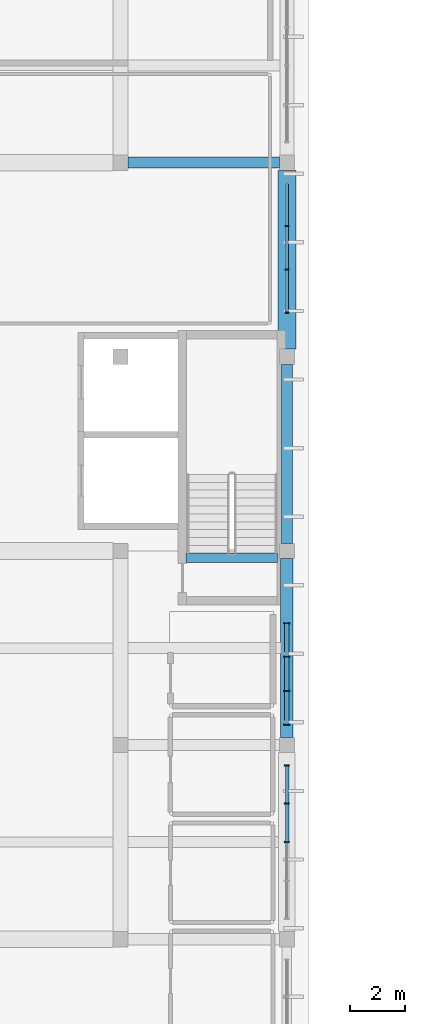
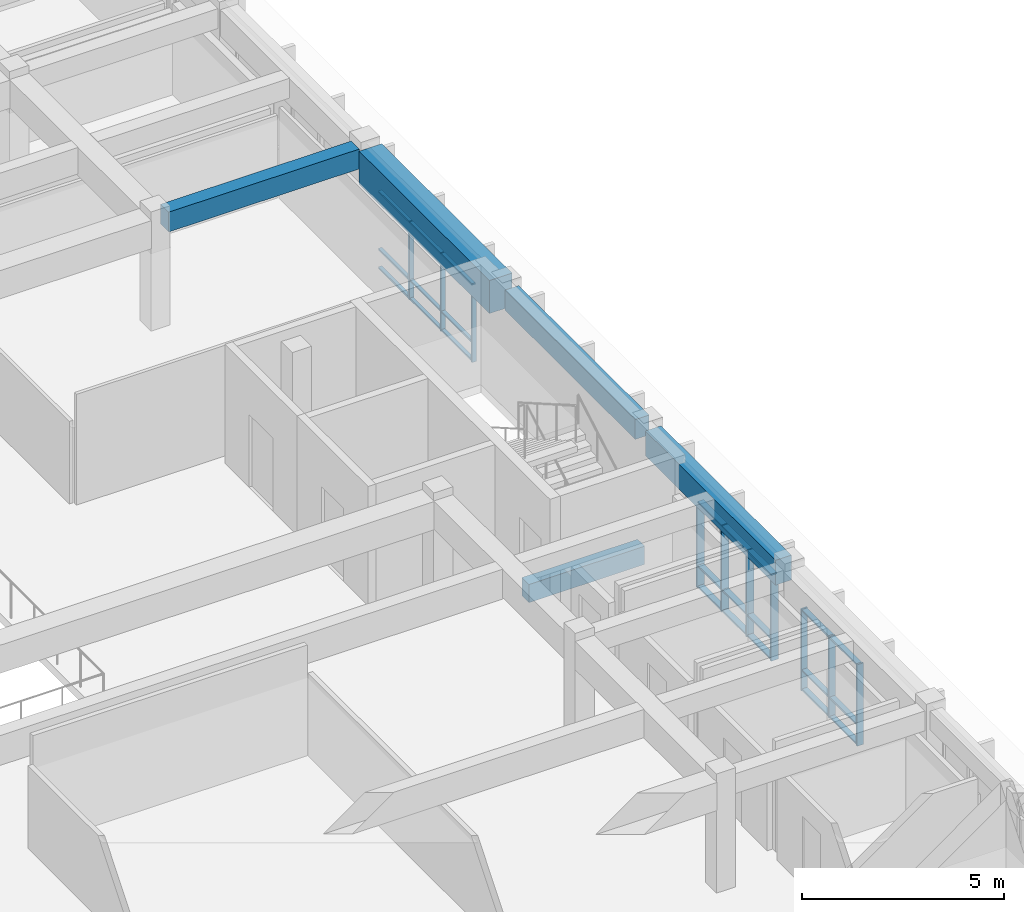
# One storey, part 10 of 23: 34 members, 5 beams, 3 elements without a shape of their own.
"""IFC4 building model written with IfcOpenShell, lengths in metres."""

from ifc_helpers import new_model, si_unit, direction, frame, origin, origin_2d, place, context, subcontext, project, spatial, rectangle, extrude, material, material_profile, profile_set, type_object, element, aggregate, save


model = new_model("IFC4")

# Units and contexts
model_context = context("Model", 3, precision=1e-05, world=origin(), true_north=direction((0.0, 1.0)))
body_context = subcontext(model_context, "Body", "Model", "MODEL_VIEW")
ifc_project = project(units=[si_unit("LENGTHUNIT", "METRE"), si_unit("AREAUNIT", "SQUARE_METRE"), si_unit("VOLUMEUNIT", "CUBIC_METRE"), si_unit("PLANEANGLEUNIT", "RADIAN"), si_unit("MASSUNIT", "GRAM", prefix="KILO")], contexts=[model_context])

# Site, building, storey
site_placement = place(None, origin())
site = spatial("IfcSite", under=ifc_project, at=site_placement, CompositionType="ELEMENT")
building_placement = place(site_placement, origin())
building = spatial("IfcBuilding", under=site, at=building_placement, Name="Larkveld Mobility Hub", CompositionType="ELEMENT")
storey_placement = place(building_placement, frame((0.0, 0.0, 19.199951171875)))
storey = spatial("IfcBuildingStorey", under=building, at=storey_placement, Name="L05", CompositionType="ELEMENT", Elevation=19.199951171875)

# Beams
ifc_material_1 = material(Name="Concrete C40/50", Category="concrete")
ifc_material_profile_1 = material_profile(ifc_material_1, rectangle(XDim=0.35009765625, YDim=0.550048828125, at=origin_2d()), Name="RC BM 350x550")
ifc_profile_set_1 = profile_set([ifc_material_profile_1], Name="Concrete C40/50")
beam_type_1 = type_object("IfcBeamType", Name="BM-RC3555", PredefinedType="BEAM", material=ifc_profile_set_1)
beam_1_placement = place(storey_placement, frame((148.360107421875, 55.75, -0.27001953125), z_axis=(1.0, 0.0, 0.0), x_axis=(0.0, 1.0, 0.0)))
element("IfcBeam", 1, at=beam_1_placement, inside=storey, type_object=beam_type_1, Name="Core C2 Stair Header Beam L05", PredefinedType="BEAM", context=body_context, shape_type="SweptSolid", body=[
    extrude(rectangle(XDim=0.35009765625, YDim=0.550048828125, at=origin_2d()), origin(), (0.0, 0.0, 1.0), 3.309814453125),
])
ifc_material_profile_2 = material_profile(ifc_material_1, rectangle(XDim=0.39990234375, YDim=0.60009765625, at=origin_2d()), Name="RC BM 400x600")
ifc_profile_set_2 = profile_set([ifc_material_profile_2], Name="Concrete C40/50")
beam_type_2 = type_object("IfcBeamType", Name="BM-RC4060", PredefinedType="BEAM", material=ifc_profile_set_2)
beam_2_placement = place(storey_placement, frame((146.27490234375, 70.0, 3.06005859375), z_axis=(1.0, 0.0, 0.0), x_axis=(0.0, 1.0, 0.0)))
element("IfcBeam", 2, at=beam_2_placement, inside=storey, type_object=beam_type_2, Name="Primary E-W Girder L05-0955", PredefinedType="BEAM", context=body_context, shape_type="SweptSolid", body=[
    extrude(rectangle(XDim=0.39990234375, YDim=0.60009765625, at=origin_2d()), origin(), (0.0, 0.0, 1.0), 5.4501953125),
])
beam_3_placement = place(storey_placement, frame((152.0, 56.27490234375, 3.06005859375), z_axis=(0.0, 1.0, 0.0), x_axis=(-1.0, 0.0, 0.0)))
element("IfcBeam", 3, at=beam_3_placement, inside=storey, type_object=beam_type_2, Name="Primary N-S Girder L05-0983", PredefinedType="BEAM", context=body_context, shape_type="SweptSolid", body=[
    extrude(rectangle(XDim=0.39990234375, YDim=0.60009765625, at=origin_2d()), origin(), (0.0, 0.0, 1.0), 6.4501953125),
])
ifc_material_profile_3 = material_profile(ifc_material_1, rectangle(XDim=0.449951171875, YDim=0.75, at=origin_2d()), Name="RC BM 450x750")
ifc_profile_set_3 = profile_set([ifc_material_profile_3], Name="Concrete C40/50")
beam_type_3 = type_object("IfcBeamType", Name="BM-RC4575", PredefinedType="BEAM", material=ifc_profile_set_3)
beam_4_placement = place(storey_placement, frame((152.0, 49.27490234375, 2.985107421875), z_axis=(0.0, 1.0, 0.0), x_axis=(-1.0, 0.0, 0.0)))
element("IfcBeam", 4, at=beam_4_placement, inside=storey, type_object=beam_type_3, Name="Primary N-S Girder L05-0982", PredefinedType="BEAM", context=body_context, shape_type="SweptSolid", body=[
    extrude(rectangle(XDim=0.449951171875, YDim=0.75, at=origin_2d()), origin(), (0.0, 0.0, 1.0), 6.4501953125),
])
ifc_material_profile_4 = material_profile(ifc_material_1, rectangle(XDim=0.64990234375, YDim=1.0, at=origin_2d()), Name="RC BM 650x1000")
ifc_profile_set_4 = profile_set([ifc_material_profile_4], Name="Concrete C40/50")
beam_type_4 = type_object("IfcBeamType", Name="BM-RC65100", PredefinedType="BEAM", material=ifc_profile_set_4)
beam_5_placement = place(storey_placement, frame((152.0, 63.27490234375, 2.860107421875), z_axis=(0.0, 1.0, 0.0), x_axis=(-1.0, 0.0, 0.0)))
element("IfcBeam", 5, at=beam_5_placement, inside=storey, type_object=beam_type_4, Name="Primary N-S Girder L05-0984", PredefinedType="BEAM", context=body_context, shape_type="SweptSolid", body=[
    extrude(rectangle(XDim=0.64990234375, YDim=1.0, at=origin_2d()), origin(), (0.0, 0.0, 1.0), 6.4501953125),
])

# Curtain wall, members
ifc_material_2 = material(Name="Anodised aluminium 6063-T6", Category="aluminium")
curtain_wall_type_1 = type_object("IfcCurtainWallType", Name="CW-SYS-10", PredefinedType="NOTDEFINED", material=ifc_material_2)
curtain_wall_1_placement = place(storey_placement, origin())
curtain_wall_1 = element("IfcCurtainWall", 6, at=curtain_wall_1_placement, inside=storey, type_object=curtain_wall_type_1, Name="Upper Mobility and Sports East Glazing L05 CW-166", PredefinedType="NOTDEFINED")
ifc_material_profile_5 = material_profile(ifc_material_2, rectangle(XDim=0.050048828125, YDim=0.179931640625, at=origin_2d()), Name="ALU MULL 50x180")
ifc_profile_set_5 = profile_set([ifc_material_profile_5], Name="Anodised aluminium 6063-T6")
member_type_1 = type_object("IfcMemberType", Name="CW-MUL-02", PredefinedType="MULLION", material=ifc_profile_set_5)
member_1_placement = place(storey_placement, frame((152.0, 45.5, -0.001953125), z_axis=(0.0, 0.0, 1.0), x_axis=(0.0, 1.0, 0.0)))
member_1 = element("IfcMember", 7, at=member_1_placement, type_object=member_type_1, Name="CW10 mullion 3", PredefinedType="MULLION", context=body_context, shape_type="SweptSolid", body=[
    extrude(rectangle(XDim=0.050048828125, YDim=0.179931640625, at=origin_2d()), origin(), (0.0, 0.0, 1.0), 2.4619140625),
])
member_2_placement = place(storey_placement, frame((152.0, 46.89208984375, -0.001953125), z_axis=(0.0, 0.0, 1.0), x_axis=(0.0, 1.0, 0.0)))
member_2 = element("IfcMember", 8, at=member_2_placement, type_object=member_type_1, Name="CW10 mullion 4", PredefinedType="MULLION", context=body_context, shape_type="SweptSolid", body=[
    extrude(rectangle(XDim=0.050048828125, YDim=0.179931640625, at=origin_2d()), origin(), (0.0, 0.0, 1.0), 2.4619140625),
])
member_3_placement = place(storey_placement, frame((152.0, 48.260009765625, -0.001953125), z_axis=(0.0, 0.0, 1.0), x_axis=(0.0, 1.0, 0.0)))
member_3 = element("IfcMember", 9, at=member_3_placement, type_object=member_type_1, Name="CW10 mullion 5", PredefinedType="MULLION", context=body_context, shape_type="SweptSolid", body=[
    extrude(rectangle(XDim=0.050048828125, YDim=0.179931640625, at=origin_2d()), origin(), (0.0, 0.0, 1.0), 2.4619140625),
])

curtain_wall_type_2 = type_object("IfcCurtainWallType", Name="CW-SYS-11", PredefinedType="NOTDEFINED", material=ifc_material_2)
curtain_wall_2_placement = place(storey_placement, origin())
curtain_wall_2 = element("IfcCurtainWall", 10, at=curtain_wall_2_placement, inside=storey, type_object=curtain_wall_type_2, Name="Upper Mobility and Sports East Glazing L05 CW-167", PredefinedType="NOTDEFINED")
ifc_material_profile_6 = material_profile(ifc_material_2, rectangle(XDim=0.050048828125, YDim=0.2099609375, at=origin_2d()), Name="ALU MULL 50x210")
ifc_profile_set_6 = profile_set([ifc_material_profile_6], Name="Anodised aluminium 6063-T6")
member_type_2 = type_object("IfcMemberType", Name="CW-MUL-03", PredefinedType="MULLION", material=ifc_profile_set_6)
member_4_placement = place(storey_placement, frame((152.0, 49.739990234375, -0.001953125), z_axis=(0.0, 0.0, 1.0), x_axis=(0.0, 1.0, 0.0)))
member_4 = element("IfcMember", 11, at=member_4_placement, type_object=member_type_2, Name="CW11 mullion 1", PredefinedType="MULLION", context=body_context, shape_type="SweptSolid", body=[
    extrude(rectangle(XDim=0.050048828125, YDim=0.2099609375, at=origin_2d()), origin(), (0.0, 0.0, 1.0), 2.612060546875),
])
member_5_placement = place(storey_placement, frame((152.0, 50.949951171875, -0.001953125), z_axis=(0.0, 0.0, 1.0), x_axis=(0.0, 1.0, 0.0)))
member_5 = element("IfcMember", 12, at=member_5_placement, type_object=member_type_2, Name="CW11 mullion 2", PredefinedType="MULLION", context=body_context, shape_type="SweptSolid", body=[
    extrude(rectangle(XDim=0.050048828125, YDim=0.2099609375, at=origin_2d()), origin(), (0.0, 0.0, 1.0), 2.612060546875),
])
member_6_placement = place(storey_placement, frame((152.0, 52.18505859375, -0.001953125), z_axis=(0.0, 0.0, 1.0), x_axis=(0.0, 1.0, 0.0)))
member_6 = element("IfcMember", 13, at=member_6_placement, type_object=member_type_2, Name="CW11 mullion 3", PredefinedType="MULLION", context=body_context, shape_type="SweptSolid", body=[
    extrude(rectangle(XDim=0.050048828125, YDim=0.2099609375, at=origin_2d()), origin(), (0.0, 0.0, 1.0), 2.612060546875),
])
member_7_placement = place(storey_placement, frame((152.0, 53.39501953125, -0.001953125), z_axis=(0.0, 0.0, 1.0), x_axis=(0.0, 1.0, 0.0)))
member_7 = element("IfcMember", 14, at=member_7_placement, type_object=member_type_2, Name="CW11 mullion 4", PredefinedType="MULLION", context=body_context, shape_type="SweptSolid", body=[
    extrude(rectangle(XDim=0.050048828125, YDim=0.2099609375, at=origin_2d()), origin(), (0.0, 0.0, 1.0), 2.612060546875),
])

curtain_wall_type_3 = type_object("IfcCurtainWallType", Name="CW-SYS-12", PredefinedType="NOTDEFINED", material=ifc_material_2)
curtain_wall_3_placement = place(storey_placement, origin())
curtain_wall_3 = element("IfcCurtainWall", 15, at=curtain_wall_3_placement, inside=storey, type_object=curtain_wall_type_3, Name="Upper Mobility and Sports East Glazing L05 CW-168", PredefinedType="NOTDEFINED")
ifc_material_profile_7 = material_profile(ifc_material_2, rectangle(XDim=0.050048828125, YDim=0.1298828125, at=origin_2d()), Name="ALU MULL 50x130")
ifc_profile_set_7 = profile_set([ifc_material_profile_7], Name="Anodised aluminium 6063-T6")
member_type_3 = type_object("IfcMemberType", Name="CW-MUL-04", PredefinedType="MULLION", material=ifc_profile_set_7)
member_8_placement = place(storey_placement, frame((152.0, 64.60498046875, -0.001953125), z_axis=(0.0, 0.0, 1.0), x_axis=(0.0, 1.0, 0.0)))
member_8 = element("IfcMember", 16, at=member_8_placement, type_object=member_type_3, Name="CW12 mullion 1", PredefinedType="MULLION", context=body_context, shape_type="SweptSolid", body=[
    extrude(rectangle(XDim=0.050048828125, YDim=0.1298828125, at=origin_2d()), origin(), (0.0, 0.0, 1.0), 2.362060546875),
])
member_9_placement = place(storey_placement, frame((152.0, 66.14794921875, -0.001953125), z_axis=(0.0, 0.0, 1.0), x_axis=(0.0, 1.0, 0.0)))
member_9 = element("IfcMember", 17, at=member_9_placement, type_object=member_type_3, Name="CW12 mullion 2", PredefinedType="MULLION", context=body_context, shape_type="SweptSolid", body=[
    extrude(rectangle(XDim=0.050048828125, YDim=0.1298828125, at=origin_2d()), origin(), (0.0, 0.0, 1.0), 2.362060546875),
])
member_10_placement = place(storey_placement, frame((152.0, 67.717041015625, -0.001953125), z_axis=(0.0, 0.0, 1.0), x_axis=(0.0, 1.0, 0.0)))
member_10 = element("IfcMember", 18, at=member_10_placement, type_object=member_type_3, Name="CW12 mullion 3", PredefinedType="MULLION", context=body_context, shape_type="SweptSolid", body=[
    extrude(rectangle(XDim=0.050048828125, YDim=0.1298828125, at=origin_2d()), origin(), (0.0, 0.0, 1.0), 2.362060546875),
])

# Member
ifc_material_profile_8 = material_profile(ifc_material_2, rectangle(XDim=0.14990234375, YDim=0.050048828125, at=origin_2d()), Name="ALU TRAN 50x150")
ifc_profile_set_8 = profile_set([ifc_material_profile_8], Name="Anodised aluminium 6063-T6")
member_type_4 = type_object("IfcMemberType", Name="CW-TRN-02", PredefinedType="USERDEFINED", material=ifc_profile_set_8)
member_11_placement = place(storey_placement, frame((152.0, 45.514892578125, 0.030029296875), z_axis=(0.0, 1.0, 0.0), x_axis=(-1.0, 0.0, 0.0)))
member_11 = element("IfcMember", 19, at=member_11_placement, type_object=member_type_4, Name="CW10 transom 3.1", ObjectType="TRANSOM", PredefinedType="USERDEFINED", context=body_context, shape_type="SweptSolid", body=[
    extrude(rectangle(XDim=0.14990234375, YDim=0.050048828125, at=origin_2d()), origin(), (0.0, 0.0, 1.0), 1.362060546875),
])

member_12_placement = place(storey_placement, frame((152.0, 45.514892578125, 0.614013671875), z_axis=(0.0, 1.0, 0.0), x_axis=(-1.0, 0.0, 0.0)))
member_12 = element("IfcMember", 20, at=member_12_placement, type_object=member_type_4, Name="CW10 transom 3.2", ObjectType="TRANSOM", PredefinedType="USERDEFINED", context=body_context, shape_type="SweptSolid", body=[
    extrude(rectangle(XDim=0.14990234375, YDim=0.050048828125, at=origin_2d()), origin(), (0.0, 0.0, 1.0), 1.362060546875),
])

member_13_placement = place(storey_placement, frame((152.0, 45.514892578125, 2.427978515625), z_axis=(0.0, 1.0, 0.0), x_axis=(-1.0, 0.0, 0.0)))
member_13 = element("IfcMember", 21, at=member_13_placement, type_object=member_type_4, Name="CW10 transom 3.3", ObjectType="TRANSOM", PredefinedType="USERDEFINED", context=body_context, shape_type="SweptSolid", body=[
    extrude(rectangle(XDim=0.14990234375, YDim=0.050048828125, at=origin_2d()), origin(), (0.0, 0.0, 1.0), 1.362060546875),
])

member_14_placement = place(storey_placement, frame((152.0, 46.906982421875, 0.030029296875), z_axis=(0.0, 1.0, 0.0), x_axis=(-1.0, 0.0, 0.0)))
member_14 = element("IfcMember", 22, at=member_14_placement, type_object=member_type_4, Name="CW10 transom 4.1", ObjectType="TRANSOM", PredefinedType="USERDEFINED", context=body_context, shape_type="SweptSolid", body=[
    extrude(rectangle(XDim=0.14990234375, YDim=0.050048828125, at=origin_2d()), origin(), (0.0, 0.0, 1.0), 1.343017578125),
])

member_15_placement = place(storey_placement, frame((152.0, 46.906982421875, 0.614013671875), z_axis=(0.0, 1.0, 0.0), x_axis=(-1.0, 0.0, 0.0)))
member_15 = element("IfcMember", 23, at=member_15_placement, type_object=member_type_4, Name="CW10 transom 4.2", ObjectType="TRANSOM", PredefinedType="USERDEFINED", context=body_context, shape_type="SweptSolid", body=[
    extrude(rectangle(XDim=0.14990234375, YDim=0.050048828125, at=origin_2d()), origin(), (0.0, 0.0, 1.0), 1.343017578125),
])

member_16_placement = place(storey_placement, frame((152.0, 46.906982421875, 2.427978515625), z_axis=(0.0, 1.0, 0.0), x_axis=(-1.0, 0.0, 0.0)))
member_16 = element("IfcMember", 24, at=member_16_placement, type_object=member_type_4, Name="CW10 transom 4.3", ObjectType="TRANSOM", PredefinedType="USERDEFINED", context=body_context, shape_type="SweptSolid", body=[
    extrude(rectangle(XDim=0.14990234375, YDim=0.050048828125, at=origin_2d()), origin(), (0.0, 0.0, 1.0), 1.343017578125),
])

aggregate(curtain_wall_1, [member_1, member_2, member_3, member_11, member_12, member_13, member_14, member_15, member_16])

ifc_material_profile_9 = material_profile(ifc_material_2, rectangle(XDim=0.169921875, YDim=0.050048828125, at=origin_2d()), Name="ALU TRAN 50x170")
ifc_profile_set_9 = profile_set([ifc_material_profile_9], Name="Anodised aluminium 6063-T6")
member_type_5 = type_object("IfcMemberType", Name="CW-TRN-03", PredefinedType="USERDEFINED", material=ifc_profile_set_9)
member_17_placement = place(storey_placement, frame((152.0, 49.75, 0.030029296875), z_axis=(0.0, 1.0, 0.0), x_axis=(-1.0, 0.0, 0.0)))
member_17 = element("IfcMember", 25, at=member_17_placement, type_object=member_type_5, Name="CW11 transom 1.1", ObjectType="TRANSOM", PredefinedType="USERDEFINED", context=body_context, shape_type="SweptSolid", body=[
    extrude(rectangle(XDim=0.169921875, YDim=0.050048828125, at=origin_2d()), origin(), (0.0, 0.0, 1.0), 1.18505859375),
])

member_18_placement = place(storey_placement, frame((152.0, 49.75, 0.652099609375), z_axis=(0.0, 1.0, 0.0), x_axis=(-1.0, 0.0, 0.0)))
member_18 = element("IfcMember", 26, at=member_18_placement, type_object=member_type_5, Name="CW11 transom 1.2", ObjectType="TRANSOM", PredefinedType="USERDEFINED", context=body_context, shape_type="SweptSolid", body=[
    extrude(rectangle(XDim=0.169921875, YDim=0.050048828125, at=origin_2d()), origin(), (0.0, 0.0, 1.0), 1.18505859375),
])

member_19_placement = place(storey_placement, frame((152.0, 49.75, 2.578125), z_axis=(0.0, 1.0, 0.0), x_axis=(-1.0, 0.0, 0.0)))
member_19 = element("IfcMember", 27, at=member_19_placement, type_object=member_type_5, Name="CW11 transom 1.3", ObjectType="TRANSOM", PredefinedType="USERDEFINED", context=body_context, shape_type="SweptSolid", body=[
    extrude(rectangle(XDim=0.169921875, YDim=0.050048828125, at=origin_2d()), origin(), (0.0, 0.0, 1.0), 1.18505859375),
])

member_20_placement = place(storey_placement, frame((152.0, 50.965087890625, 0.030029296875), z_axis=(0.0, 1.0, 0.0), x_axis=(-1.0, 0.0, 0.0)))
member_20 = element("IfcMember", 28, at=member_20_placement, type_object=member_type_5, Name="CW11 transom 2.1", ObjectType="TRANSOM", PredefinedType="USERDEFINED", context=body_context, shape_type="SweptSolid", body=[
    extrude(rectangle(XDim=0.169921875, YDim=0.050048828125, at=origin_2d()), origin(), (0.0, 0.0, 1.0), 1.204833984375),
])

member_21_placement = place(storey_placement, frame((152.0, 50.965087890625, 0.652099609375), z_axis=(0.0, 1.0, 0.0), x_axis=(-1.0, 0.0, 0.0)))
member_21 = element("IfcMember", 29, at=member_21_placement, type_object=member_type_5, Name="CW11 transom 2.2", ObjectType="TRANSOM", PredefinedType="USERDEFINED", context=body_context, shape_type="SweptSolid", body=[
    extrude(rectangle(XDim=0.169921875, YDim=0.050048828125, at=origin_2d()), origin(), (0.0, 0.0, 1.0), 1.204833984375),
])

member_22_placement = place(storey_placement, frame((152.0, 50.965087890625, 2.578125), z_axis=(0.0, 1.0, 0.0), x_axis=(-1.0, 0.0, 0.0)))
member_22 = element("IfcMember", 30, at=member_22_placement, type_object=member_type_5, Name="CW11 transom 2.3", ObjectType="TRANSOM", PredefinedType="USERDEFINED", context=body_context, shape_type="SweptSolid", body=[
    extrude(rectangle(XDim=0.169921875, YDim=0.050048828125, at=origin_2d()), origin(), (0.0, 0.0, 1.0), 1.204833984375),
])

member_23_placement = place(storey_placement, frame((152.0, 52.199951171875, 0.030029296875), z_axis=(0.0, 1.0, 0.0), x_axis=(-1.0, 0.0, 0.0)))
member_23 = element("IfcMember", 31, at=member_23_placement, type_object=member_type_5, Name="CW11 transom 3.1", ObjectType="TRANSOM", PredefinedType="USERDEFINED", context=body_context, shape_type="SweptSolid", body=[
    extrude(rectangle(XDim=0.169921875, YDim=0.050048828125, at=origin_2d()), origin(), (0.0, 0.0, 1.0), 1.18505859375),
])

member_24_placement = place(storey_placement, frame((152.0, 52.199951171875, 0.652099609375), z_axis=(0.0, 1.0, 0.0), x_axis=(-1.0, 0.0, 0.0)))
member_24 = element("IfcMember", 32, at=member_24_placement, type_object=member_type_5, Name="CW11 transom 3.2", ObjectType="TRANSOM", PredefinedType="USERDEFINED", context=body_context, shape_type="SweptSolid", body=[
    extrude(rectangle(XDim=0.169921875, YDim=0.050048828125, at=origin_2d()), origin(), (0.0, 0.0, 1.0), 1.18505859375),
])

member_25_placement = place(storey_placement, frame((152.0, 52.199951171875, 2.578125), z_axis=(0.0, 1.0, 0.0), x_axis=(-1.0, 0.0, 0.0)))
member_25 = element("IfcMember", 33, at=member_25_placement, type_object=member_type_5, Name="CW11 transom 3.3", ObjectType="TRANSOM", PredefinedType="USERDEFINED", context=body_context, shape_type="SweptSolid", body=[
    extrude(rectangle(XDim=0.169921875, YDim=0.050048828125, at=origin_2d()), origin(), (0.0, 0.0, 1.0), 1.18505859375),
])

aggregate(curtain_wall_2, [member_4, member_5, member_6, member_7, member_17, member_18, member_19, member_20, member_21, member_22, member_23, member_24, member_25])

ifc_material_profile_10 = material_profile(ifc_material_2, rectangle(XDim=0.10009765625, YDim=0.050048828125, at=origin_2d()), Name="ALU TRAN 50x100")
ifc_profile_set_10 = profile_set([ifc_material_profile_10], Name="Anodised aluminium 6063-T6")
member_type_6 = type_object("IfcMemberType", Name="CW-TRN-04", PredefinedType="USERDEFINED", material=ifc_profile_set_10)
member_26_placement = place(storey_placement, frame((152.0, 64.614990234375, 0.030029296875), z_axis=(0.0, 1.0, 0.0), x_axis=(-1.0, 0.0, 0.0)))
member_26 = element("IfcMember", 34, at=member_26_placement, type_object=member_type_6, Name="CW12 transom 1.1", ObjectType="TRANSOM", PredefinedType="USERDEFINED", context=body_context, shape_type="SweptSolid", body=[
    extrude(rectangle(XDim=0.10009765625, YDim=0.050048828125, at=origin_2d()), origin(), (0.0, 0.0, 1.0), 1.51806640625),
])

member_27_placement = place(storey_placement, frame((152.0, 64.614990234375, 0.590087890625), z_axis=(0.0, 1.0, 0.0), x_axis=(-1.0, 0.0, 0.0)))
member_27 = element("IfcMember", 35, at=member_27_placement, type_object=member_type_6, Name="CW12 transom 1.2", ObjectType="TRANSOM", PredefinedType="USERDEFINED", context=body_context, shape_type="SweptSolid", body=[
    extrude(rectangle(XDim=0.10009765625, YDim=0.050048828125, at=origin_2d()), origin(), (0.0, 0.0, 1.0), 1.51806640625),
])

member_28_placement = place(storey_placement, frame((152.0, 64.614990234375, 2.328125), z_axis=(0.0, 1.0, 0.0), x_axis=(-1.0, 0.0, 0.0)))
member_28 = element("IfcMember", 36, at=member_28_placement, type_object=member_type_6, Name="CW12 transom 1.3", ObjectType="TRANSOM", PredefinedType="USERDEFINED", context=body_context, shape_type="SweptSolid", body=[
    extrude(rectangle(XDim=0.10009765625, YDim=0.050048828125, at=origin_2d()), origin(), (0.0, 0.0, 1.0), 1.51806640625),
])

member_29_placement = place(storey_placement, frame((152.0, 66.1630859375, 0.030029296875), z_axis=(0.0, 1.0, 0.0), x_axis=(-1.0, 0.0, 0.0)))
member_29 = element("IfcMember", 37, at=member_29_placement, type_object=member_type_6, Name="CW12 transom 2.1", ObjectType="TRANSOM", PredefinedType="USERDEFINED", context=body_context, shape_type="SweptSolid", body=[
    extrude(rectangle(XDim=0.10009765625, YDim=0.050048828125, at=origin_2d()), origin(), (0.0, 0.0, 1.0), 1.538818359375),
])

member_30_placement = place(storey_placement, frame((152.0, 66.1630859375, 0.590087890625), z_axis=(0.0, 1.0, 0.0), x_axis=(-1.0, 0.0, 0.0)))
member_30 = element("IfcMember", 38, at=member_30_placement, type_object=member_type_6, Name="CW12 transom 2.2", ObjectType="TRANSOM", PredefinedType="USERDEFINED", context=body_context, shape_type="SweptSolid", body=[
    extrude(rectangle(XDim=0.10009765625, YDim=0.050048828125, at=origin_2d()), origin(), (0.0, 0.0, 1.0), 1.538818359375),
])

member_31_placement = place(storey_placement, frame((152.0, 66.1630859375, 2.328125), z_axis=(0.0, 1.0, 0.0), x_axis=(-1.0, 0.0, 0.0)))
member_31 = element("IfcMember", 39, at=member_31_placement, type_object=member_type_6, Name="CW12 transom 2.3", ObjectType="TRANSOM", PredefinedType="USERDEFINED", context=body_context, shape_type="SweptSolid", body=[
    extrude(rectangle(XDim=0.10009765625, YDim=0.050048828125, at=origin_2d()), origin(), (0.0, 0.0, 1.0), 1.538818359375),
])

member_32_placement = place(storey_placement, frame((152.0, 67.73193359375, 0.030029296875), z_axis=(0.0, 1.0, 0.0), x_axis=(-1.0, 0.0, 0.0)))
member_32 = element("IfcMember", 40, at=member_32_placement, type_object=member_type_6, Name="CW12 transom 3.1", ObjectType="TRANSOM", PredefinedType="USERDEFINED", context=body_context, shape_type="SweptSolid", body=[
    extrude(rectangle(XDim=0.10009765625, YDim=0.050048828125, at=origin_2d()), origin(), (0.0, 0.0, 1.0), 1.51806640625),
])

member_33_placement = place(storey_placement, frame((152.0, 67.73193359375, 0.590087890625), z_axis=(0.0, 1.0, 0.0), x_axis=(-1.0, 0.0, 0.0)))
member_33 = element("IfcMember", 41, at=member_33_placement, type_object=member_type_6, Name="CW12 transom 3.2", ObjectType="TRANSOM", PredefinedType="USERDEFINED", context=body_context, shape_type="SweptSolid", body=[
    extrude(rectangle(XDim=0.10009765625, YDim=0.050048828125, at=origin_2d()), origin(), (0.0, 0.0, 1.0), 1.51806640625),
])

member_34_placement = place(storey_placement, frame((152.0, 67.73193359375, 2.328125), z_axis=(0.0, 1.0, 0.0), x_axis=(-1.0, 0.0, 0.0)))
member_34 = element("IfcMember", 42, at=member_34_placement, type_object=member_type_6, Name="CW12 transom 3.3", ObjectType="TRANSOM", PredefinedType="USERDEFINED", context=body_context, shape_type="SweptSolid", body=[
    extrude(rectangle(XDim=0.10009765625, YDim=0.050048828125, at=origin_2d()), origin(), (0.0, 0.0, 1.0), 1.51806640625),
])

aggregate(curtain_wall_3, [member_8, member_9, member_10, member_26, member_27, member_28, member_29, member_30, member_31, member_32, member_33, member_34])

save(model, "model.ifc")
